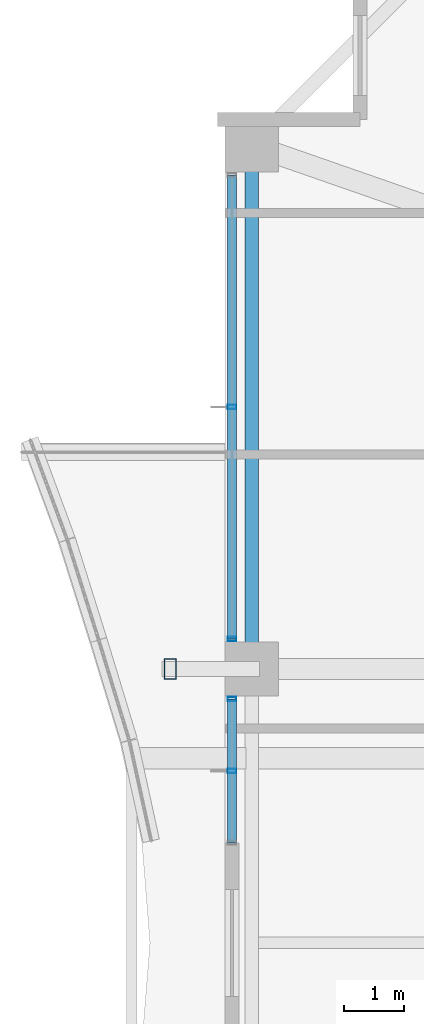
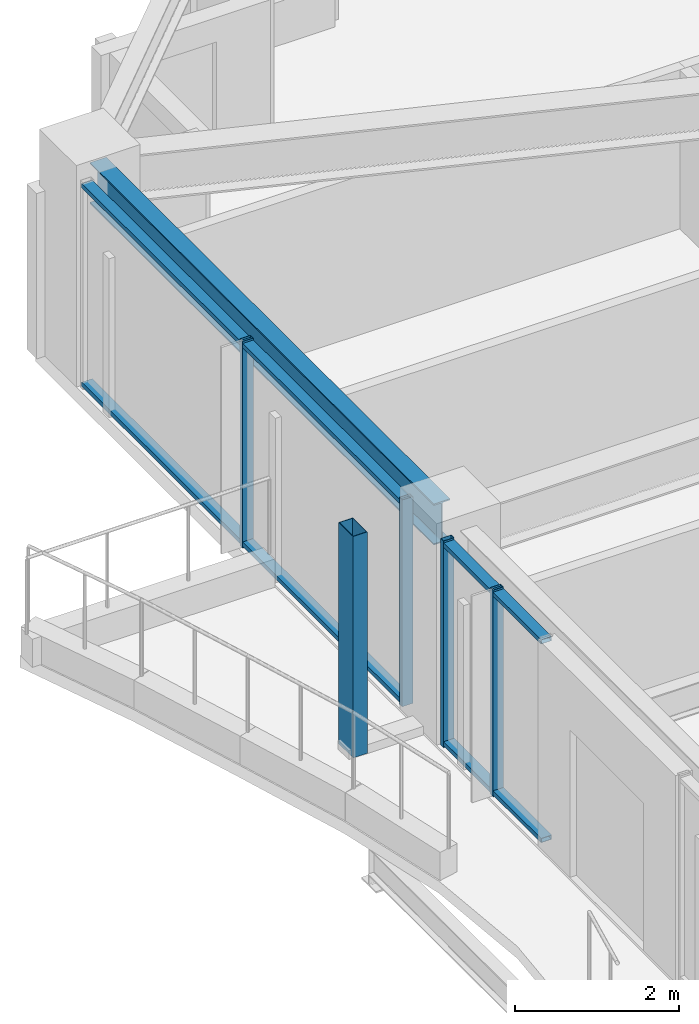
# One storey, part 8 of 35: 9 members, 1 beam, 2 elements without a shape of their own.
"""IFC4 building model written with IfcOpenShell, lengths in metres."""

from ifc_helpers import new_model, si_unit, direction, frame, origin, origin_2d, place, context, subcontext, project, spatial, hollow_rectangle, i_section, extrude, material, material_profile, profile_set, type_object, element, aggregate, save


model = new_model("IFC4")

# Units and contexts
model_context = context("Model", 3, precision=1e-05, world=origin(), true_north=direction((0.0, 1.0)))
body_context = subcontext(model_context, "Body", "Model", "MODEL_VIEW")
ifc_project = project(units=[si_unit("LENGTHUNIT", "METRE"), si_unit("AREAUNIT", "SQUARE_METRE"), si_unit("VOLUMEUNIT", "CUBIC_METRE"), si_unit("PLANEANGLEUNIT", "RADIAN"), si_unit("MASSUNIT", "GRAM", prefix="KILO")], contexts=[model_context])

# Site, building, storey
site_placement = place(None, origin())
site = spatial("IfcSite", under=ifc_project, at=site_placement, CompositionType="ELEMENT")
building_placement = place(site_placement, origin())
building = spatial("IfcBuilding", under=site, at=building_placement, Name="Kolvaren Belvedere", CompositionType="ELEMENT")
storey_placement = place(building_placement, frame((0.0, 0.0, 183.300048828125)))
storey = spatial("IfcBuildingStorey", under=building, at=storey_placement, Name="L53", CompositionType="ELEMENT", Elevation=183.300048828125)

# Beam
ifc_material_1 = material(Name="Structural steel ASTM A992 Grade 50", Category="steel")
ifc_material_profile_1 = material_profile(ifc_material_1, i_section(OverallWidth=0.22900390625, OverallDepth=0.612060546875, WebThickness=0.011962890625, FlangeThickness=0.01953125, FilletRadius=0.01806640625, at=origin_2d()), Name="W24X84")
ifc_profile_set_1 = profile_set([ifc_material_profile_1], Name="Structural steel ASTM A992 Grade 50")
beam_type = type_object("IfcBeamType", Name="BM-SPAN-W24X84", PredefinedType="SPANDREL", material=ifc_profile_set_1)
beam_placement = place(storey_placement, frame((-19.949951171875, 13.197509765625, 2.77392578125), z_axis=(0.0, -1.0, 0.0), x_axis=(1.0, 0.0, 0.0)))
element("IfcBeam", 1, at=beam_placement, inside=storey, type_object=beam_type, Name="L53 Perimeter Spandrel W4-W3", PredefinedType="SPANDREL", context=body_context, shape_type="SweptSolid", body=[
    extrude(i_section(OverallWidth=0.22900390625, OverallDepth=0.612060546875, WebThickness=0.011962890625, FlangeThickness=0.01953125, FilletRadius=0.01806640625, at=origin_2d()), origin(), (0.0, 0.0, 1.0), 8.39501953125),
])

# Curtain wall, members
ifc_material_2 = material(Name="Anodised pale-metal aluminium AA 6063-T6", Category="aluminium")
curtain_wall_type = type_object("IfcCurtainWallType", Name="CW-Z5-HIGH", PredefinedType="NOTDEFINED", material=ifc_material_2)
curtain_wall_1_placement = place(storey_placement, origin())
curtain_wall_1 = element("IfcCurtainWall", 2, at=curtain_wall_1_placement, inside=storey, type_object=curtain_wall_type, Name="L53 Unitised Curtain Wall FCW-L53-W2-B1", PredefinedType="NOTDEFINED")
ifc_material_3 = material(Name="Anodised pale-metal aluminium AA 6063-T6", Category="aluminium")
ifc_material_profile_2 = material_profile(ifc_material_3, hollow_rectangle(XDim=0.070068359375, YDim=0.14990234375, WallThickness=0.004150390625, at=origin_2d()), Name="ALU-MUL-150X70")
ifc_profile_set_2 = profile_set([ifc_material_profile_2], Name="Anodised pale-metal aluminium AA 6063-T6")
member_type_1 = type_object("IfcMemberType", Name="CW-MUL-150", PredefinedType="MULLION", material=ifc_profile_set_2)
member_1_placement = place(storey_placement, frame((-20.280029296875, 2.887451171875, 0.0), z_axis=(0.0, 0.0, 1.0), x_axis=(0.0, 1.0, 0.0)))
member_1 = element("IfcMember", 3, at=member_1_placement, type_object=member_type_1, Name="FCW-L53-W2-B1 Unitised Mullion 2", PredefinedType="MULLION", context=body_context, shape_type="SweptSolid", body=[
    extrude(hollow_rectangle(XDim=0.070068359375, YDim=0.14990234375, WallThickness=0.004150390625, at=origin_2d()), origin(), (0.0, 0.0, 1.0), 3.079833984375),
])
member_2_placement = place(storey_placement, frame((-20.280029296875, 4.094970703125, 0.0), z_axis=(0.0, 0.0, 1.0), x_axis=(0.0, 1.0, 0.0)))
member_2 = element("IfcMember", 4, at=member_2_placement, type_object=member_type_1, Name="FCW-L53-W2-B1 Unitised Mullion 3", PredefinedType="MULLION", context=body_context, shape_type="SweptSolid", body=[
    extrude(hollow_rectangle(XDim=0.070068359375, YDim=0.14990234375, WallThickness=0.004150390625, at=origin_2d()), origin(), (0.0, 0.0, 1.0), 3.079833984375),
])

curtain_wall_2_placement = place(storey_placement, origin())
curtain_wall_2 = element("IfcCurtainWall", 5, at=curtain_wall_2_placement, inside=storey, type_object=curtain_wall_type, Name="L53 Unitised Curtain Wall FCW-L53-W2-B2", PredefinedType="NOTDEFINED")
member_3_placement = place(storey_placement, frame((-20.280029296875, 5.10498046875, 0.0), z_axis=(0.0, 0.0, 1.0), x_axis=(0.0, 1.0, 0.0)))
member_3 = element("IfcMember", 6, at=member_3_placement, type_object=member_type_1, Name="FCW-L53-W2-B2 Unitised Mullion 1", PredefinedType="MULLION", context=body_context, shape_type="SweptSolid", body=[
    extrude(hollow_rectangle(XDim=0.070068359375, YDim=0.14990234375, WallThickness=0.004150390625, at=origin_2d()), origin(), (0.0, 0.0, 1.0), 3.079833984375),
])
member_4_placement = place(storey_placement, frame((-20.280029296875, 9.0, 0.0), z_axis=(0.0, 0.0, 1.0), x_axis=(0.0, 1.0, 0.0)))
member_4 = element("IfcMember", 7, at=member_4_placement, type_object=member_type_1, Name="FCW-L53-W2-B2 Unitised Mullion 2", PredefinedType="MULLION", context=body_context, shape_type="SweptSolid", body=[
    extrude(hollow_rectangle(XDim=0.070068359375, YDim=0.14990234375, WallThickness=0.004150390625, at=origin_2d()), origin(), (0.0, 0.0, 1.0), 3.079833984375),
])

# Member
ifc_material_4 = material(Name="Anodised pale-metal aluminium AA 6063-T6", Category="aluminium")
ifc_material_profile_3 = material_profile(ifc_material_4, hollow_rectangle(XDim=0.06494140625, YDim=0.14990234375, WallThickness=0.00390625, at=origin_2d()), Name="ALU-TRN-150X65")
ifc_profile_set_3 = profile_set([ifc_material_profile_3], Name="Anodised pale-metal aluminium AA 6063-T6")
member_type_2 = type_object("IfcMemberType", Name="CW-TRN-150", PredefinedType="USERDEFINED", material=ifc_profile_set_3)
member_5_placement = place(storey_placement, frame((-20.280029296875, 1.679931640625, 0.06005859375), z_axis=(0.0, 1.0, 0.0), x_axis=(0.0, 0.0, 1.0)))
member_5 = element("IfcMember", 8, at=member_5_placement, type_object=member_type_2, Name="FCW-L53-W2-B1 Sill Transom", ObjectType="TRANSOM", PredefinedType="USERDEFINED", context=body_context, shape_type="SweptSolid", body=[
    extrude(hollow_rectangle(XDim=0.06494140625, YDim=0.14990234375, WallThickness=0.00390625, at=origin_2d()), origin(), (0.0, 0.0, 1.0), 2.4150390625),
])

member_6_placement = place(storey_placement, frame((-20.280029296875, 1.679931640625, 3.02001953125), z_axis=(0.0, 1.0, 0.0), x_axis=(0.0, 0.0, 1.0)))
member_6 = element("IfcMember", 9, at=member_6_placement, type_object=member_type_2, Name="FCW-L53-W2-B1 Head Transom", ObjectType="TRANSOM", PredefinedType="USERDEFINED", context=body_context, shape_type="SweptSolid", body=[
    extrude(hollow_rectangle(XDim=0.06494140625, YDim=0.14990234375, WallThickness=0.00390625, at=origin_2d()), origin(), (0.0, 0.0, 1.0), 2.4150390625),
])

aggregate(curtain_wall_1, [member_1, member_2, member_5, member_6])

member_7_placement = place(storey_placement, frame((-20.280029296875, 5.10498046875, 0.06005859375), z_axis=(0.0, 1.0, 0.0), x_axis=(0.0, 0.0, 1.0)))
member_7 = element("IfcMember", 10, at=member_7_placement, type_object=member_type_2, Name="FCW-L53-W2-B2 Sill Transom", ObjectType="TRANSOM", PredefinedType="USERDEFINED", context=body_context, shape_type="SweptSolid", body=[
    extrude(hollow_rectangle(XDim=0.06494140625, YDim=0.14990234375, WallThickness=0.00390625, at=origin_2d()), origin(), (0.0, 0.0, 1.0), 7.7900390625),
])

member_8_placement = place(storey_placement, frame((-20.280029296875, 5.10498046875, 3.02001953125), z_axis=(0.0, 1.0, 0.0), x_axis=(0.0, 0.0, 1.0)))
member_8 = element("IfcMember", 11, at=member_8_placement, type_object=member_type_2, Name="FCW-L53-W2-B2 Head Transom", ObjectType="TRANSOM", PredefinedType="USERDEFINED", context=body_context, shape_type="SweptSolid", body=[
    extrude(hollow_rectangle(XDim=0.06494140625, YDim=0.14990234375, WallThickness=0.00390625, at=origin_2d()), origin(), (0.0, 0.0, 1.0), 7.7900390625),
])

aggregate(curtain_wall_2, [member_3, member_4, member_7, member_8])

ifc_material_5 = material(Name="Anodised pale-metal aluminium AA 6063-T6", Category="aluminium")
ifc_material_profile_4 = material_profile(ifc_material_5, hollow_rectangle(XDim=0.199951171875, YDim=0.35009765625, WallThickness=0.007568359375, at=origin_2d()), Name="ALU-PF-350X200")
ifc_profile_set_4 = profile_set([ifc_material_profile_4], Name="Anodised pale-metal aluminium AA 6063-T6")
member_type_3 = type_object("IfcMemberType", Name="PF-FRAME-350", PredefinedType="USERDEFINED", material=ifc_profile_set_4)
member_9_placement = place(storey_placement, frame((-21.320068359375, 4.60009765625, 0.0), z_axis=(0.0, 0.0, 1.0), x_axis=(1.0, 0.0, 0.0)))
element("IfcMember", 12, at=member_9_placement, inside=storey, type_object=member_type_3, Name="L53 Outboard Picture-Frame Vertical W2", ObjectType="PICTURE FRAME FIN", PredefinedType="USERDEFINED", context=body_context, shape_type="SweptSolid", body=[
    extrude(hollow_rectangle(XDim=0.199951171875, YDim=0.35009765625, WallThickness=0.007568359375, at=origin_2d()), origin(), (0.0, 0.0, 1.0), 3.300048828125),
])

save(model, "model.ifc")
